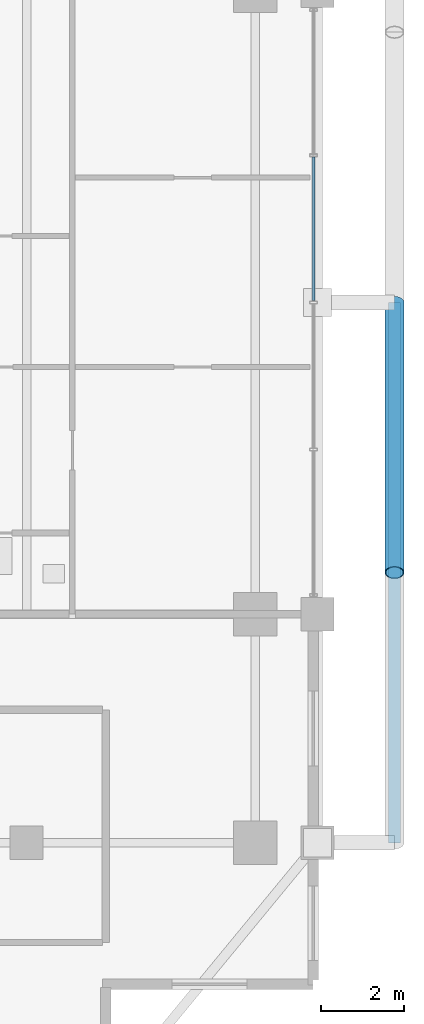
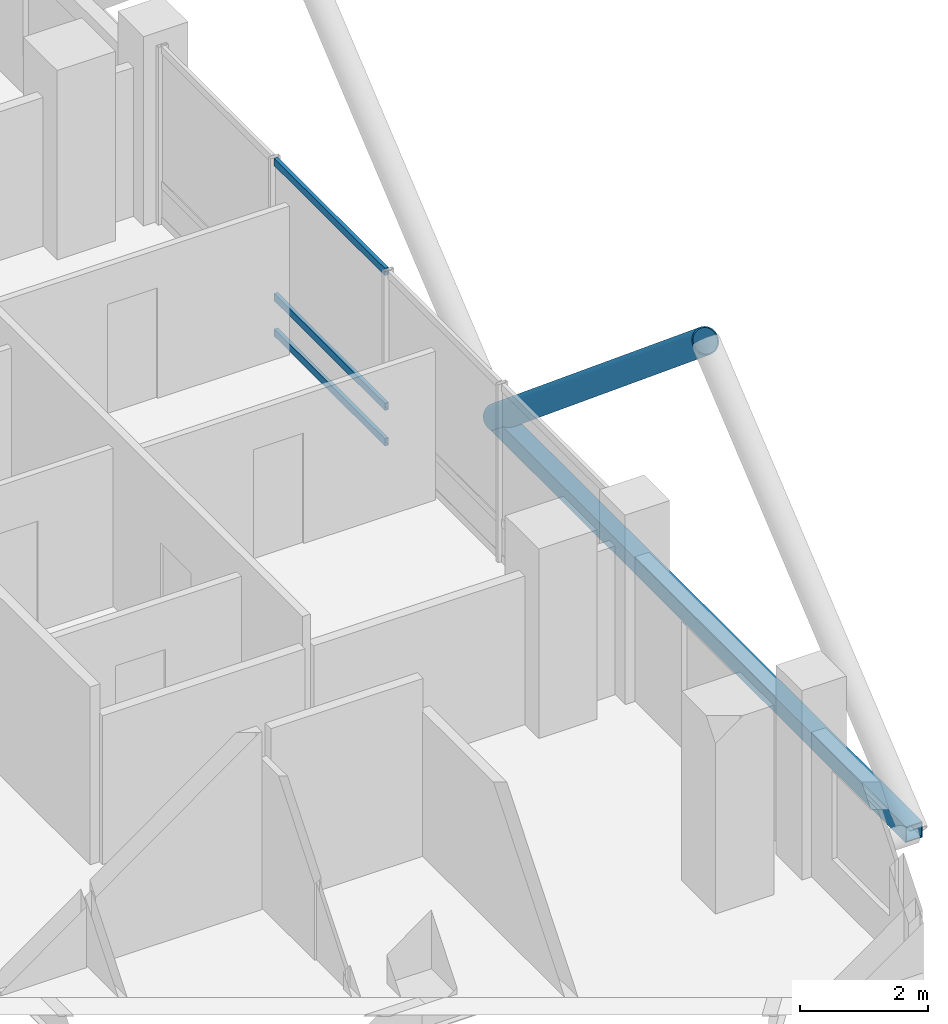
# One storey, part 12 of 26: 5 members, 1 element without a shape of its own.
"""IFC4 building model written with IfcOpenShell, lengths in metres."""

from ifc_helpers import new_model, si_unit, direction, frame, origin, origin_2d, place, context, subcontext, project, spatial, hollow_rectangle, hollow_circle, extrude, material, layer, layer_set, material_profile, profile_set, type_object, element, aggregate, save


model = new_model("IFC4")

# Units and contexts
model_context = context("Model", 3, precision=1e-05, world=origin(), true_north=direction((0.0, 1.0)))
body_context = subcontext(model_context, "Body", "Model", "MODEL_VIEW")
ifc_project = project(units=[si_unit("LENGTHUNIT", "METRE"), si_unit("AREAUNIT", "SQUARE_METRE"), si_unit("VOLUMEUNIT", "CUBIC_METRE"), si_unit("PLANEANGLEUNIT", "RADIAN"), si_unit("MASSUNIT", "GRAM", prefix="KILO")], contexts=[model_context])

# Site, building, storey
site_placement = place(None, origin())
site = spatial("IfcSite", under=ifc_project, at=site_placement, CompositionType="ELEMENT")
building_placement = place(site_placement, origin())
building = spatial("IfcBuilding", under=site, at=building_placement, Name="Barlavira Tower and Art Museum", CompositionType="ELEMENT")
storey_placement = place(building_placement, frame((0.0, 0.0, 176.39990234375)))
storey = spatial("IfcBuildingStorey", under=building, at=storey_placement, Name="L45", CompositionType="ELEMENT", Elevation=176.39990234375)

# Curtain wall, members
ifc_material_1 = material(Name="Low-iron coastal laminated glass", Category="glass")
ifc_layer = layer(ifc_material_1, 0.199951171875, Name="Low-iron coastal laminated glass")
ifc_layer_set = layer_set([ifc_layer], Name="Low-iron coastal laminated glass")
curtain_wall_type = type_object("IfcCurtainWallType", Name="Pale-Metal Unitised Curtain Wall Zone 3", PredefinedType="NOTDEFINED", material=ifc_layer_set)
curtain_wall_placement = place(storey_placement, origin())
curtain_wall = element("IfcCurtainWall", 1, at=curtain_wall_placement, inside=storey, type_object=curtain_wall_type, Name="L45 Curtain Wall CW3-L45-E-B3", PredefinedType="NOTDEFINED")
ifc_material_2 = material(Name="Pale anodised aluminium", Category="aluminium")
ifc_material_profile_1 = material_profile(ifc_material_2, hollow_rectangle(XDim=0.06494140625, YDim=0.139892578125, WallThickness=0.00390625, at=origin_2d()), Name="ALU-TRAN 65x140x4")
ifc_profile_set_1 = profile_set([ifc_material_profile_1], Name="Pale anodised aluminium")
member_type_1 = type_object("IfcMemberType", Name="Curtain Wall Pale-Metal Transom 65x140", PredefinedType="USERDEFINED", material=ifc_profile_set_1)
member_1_placement = place(storey_placement, frame((18.39990234375, 0.044921875, 0.070068359375), z_axis=(0.0, 1.0, 0.0), x_axis=(-1.0, 0.0, 0.0)))
member_1 = element("IfcMember", 2, at=member_1_placement, type_object=member_type_1, Name="CW3-L45-E-B3 Transom 2.1", ObjectType="TRANSOM", PredefinedType="USERDEFINED", context=body_context, shape_type="SweptSolid", body=[
    extrude(hollow_rectangle(XDim=0.06494140625, YDim=0.139892578125, WallThickness=0.00390625, at=origin_2d()), origin(), (0.0, 0.0, 1.0), 3.4501953125),
])
member_2_placement = place(storey_placement, frame((18.39990234375, 0.044921875, 0.744140625), z_axis=(0.0, 1.0, 0.0), x_axis=(-1.0, 0.0, 0.0)))
member_2 = element("IfcMember", 3, at=member_2_placement, type_object=member_type_1, Name="CW3-L45-E-B3 Transom 2.2", ObjectType="TRANSOM", PredefinedType="USERDEFINED", context=body_context, shape_type="SweptSolid", body=[
    extrude(hollow_rectangle(XDim=0.06494140625, YDim=0.139892578125, WallThickness=0.00390625, at=origin_2d()), origin(), (0.0, 0.0, 1.0), 3.4501953125),
])
member_3_placement = place(storey_placement, frame((18.39990234375, 0.044921875, 3.31005859375), z_axis=(0.0, 1.0, 0.0), x_axis=(-1.0, 0.0, 0.0)))
member_3 = element("IfcMember", 4, at=member_3_placement, type_object=member_type_1, Name="CW3-L45-E-B3 Transom 2.3", ObjectType="TRANSOM", PredefinedType="USERDEFINED", context=body_context, shape_type="SweptSolid", body=[
    extrude(hollow_rectangle(XDim=0.06494140625, YDim=0.139892578125, WallThickness=0.00390625, at=origin_2d()), origin(), (0.0, 0.0, 1.0), 3.4501953125),
])
aggregate(curtain_wall, [member_1, member_2, member_3])

# Members
ifc_material_3 = material(Name="Steel S355", Category="steel")
ifc_material_profile_2 = material_profile(ifc_material_3, hollow_circle(Radius=0.228515625, WallThickness=0.02001953125, at=origin_2d()), Name="CHS 457.0x20.0")
ifc_profile_set_2 = profile_set([ifc_material_profile_2], Name="Steel S355")
member_type_2 = type_object("IfcMemberType", Name="Pale-Metal Exoskeleton Diagrid Tube CHS 457x20 Steel S355", PredefinedType="BRACE", material=ifc_profile_set_2)
member_4_placement = place(storey_placement, frame((20.35009765625, 0.0, -0.119873046875), z_axis=(0.0, -0.769196053329, 0.639012857104), x_axis=(1.0, 0.0, 0.0)))
element("IfcMember", 5, at=member_4_placement, inside=storey, type_object=member_type_2, Name="L45 Exoskeleton Diagrid Tube E", PredefinedType="BRACE", context=body_context, shape_type="SweptSolid", body=[
    extrude(hollow_circle(Radius=0.228515625, WallThickness=0.02001953125, at=origin_2d()), origin(), (0.0, 0.0, 1.0), 8.450439453125),
])
ifc_material_profile_3 = material_profile(ifc_material_3, hollow_rectangle(XDim=0.300048828125, YDim=0.300048828125, WallThickness=0.01611328125, at=origin_2d()), Name="SHS 300x300x16.0")
ifc_profile_set_3 = profile_set([ifc_material_profile_3], Name="Steel S355")
member_type_3 = type_object("IfcMemberType", Name="Pale-Metal Upper Ring Strut SHS 300x300x16 Steel S355", PredefinedType="STRUT", material=ifc_profile_set_3)
member_5_placement = place(storey_placement, frame((20.35009765625, -13.0, -0.119873046875), z_axis=(0.0, 1.0, 0.0), x_axis=(-1.0, 0.0, 0.0)))
element("IfcMember", 6, at=member_5_placement, inside=storey, type_object=member_type_3, Name="L45 Exoskeleton Ring Strut E", PredefinedType="STRUT", context=body_context, shape_type="SweptSolid", body=[
    extrude(hollow_rectangle(XDim=0.300048828125, YDim=0.300048828125, WallThickness=0.01611328125, at=origin_2d()), origin(), (0.0, 0.0, 1.0), 13.0),
])

save(model, "model.ifc")
